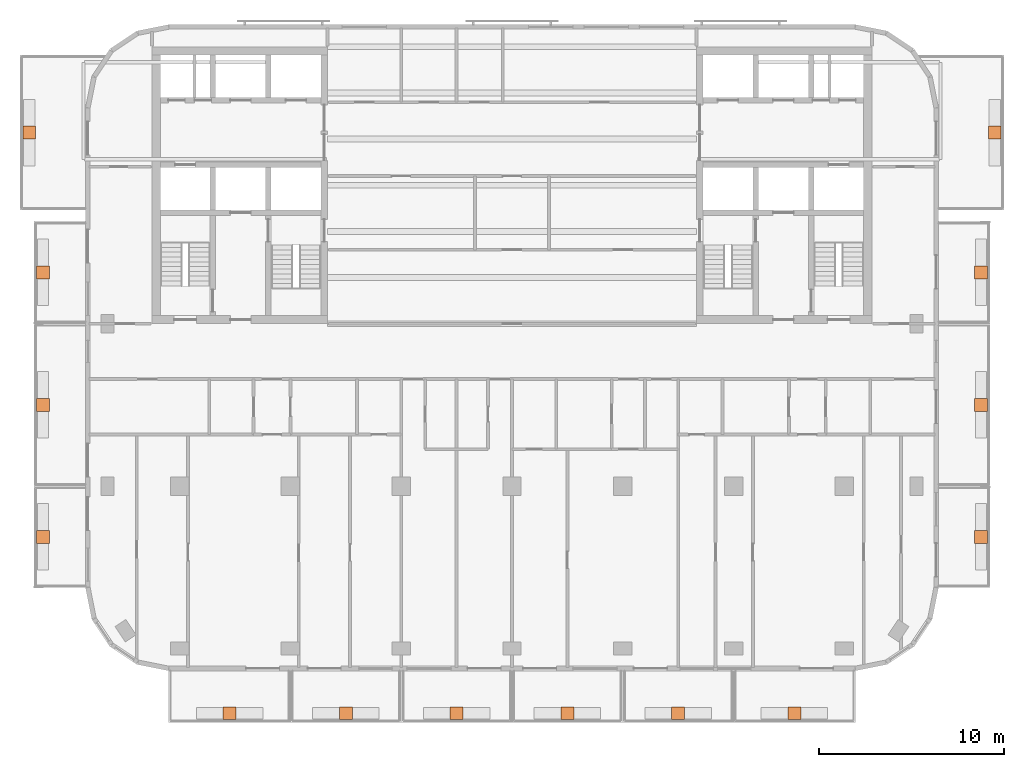
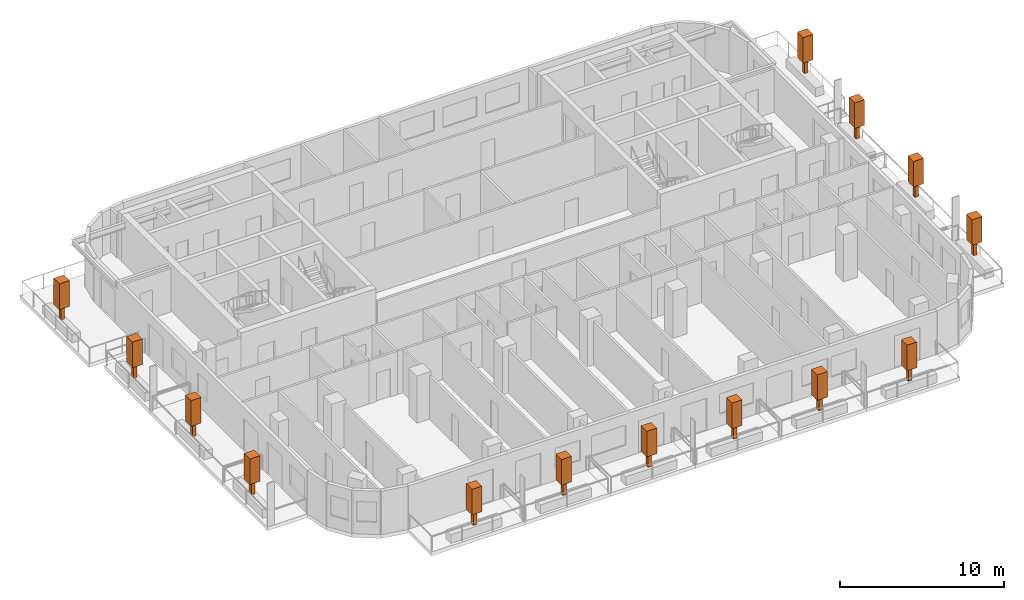
# One storey, part 11 of 11: 14 geographic elements.
"""IFC4 building model written with IfcOpenShell, lengths in metres."""

from ifc_helpers import new_model, si_unit, direction, frame, origin, origin_2d, place, context, subcontext, project, spatial, rectangle, extrude, material, element, save


model = new_model("IFC4")

# Units and contexts
model_context = context("Model", 3, precision=1e-05, world=origin(), true_north=direction((0.0, 1.0)))
body_context = subcontext(model_context, "Body", "Model", "MODEL_VIEW")
ifc_project = project(units=[si_unit("LENGTHUNIT", "METRE"), si_unit("AREAUNIT", "SQUARE_METRE"), si_unit("VOLUMEUNIT", "CUBIC_METRE"), si_unit("PLANEANGLEUNIT", "RADIAN"), si_unit("MASSUNIT", "GRAM", prefix="KILO")], contexts=[model_context])

# Site, building, storey
site_placement = place(None, origin())
site = spatial("IfcSite", under=ifc_project, at=site_placement, CompositionType="ELEMENT")
building_placement = place(site_placement, origin())
building = spatial("IfcBuilding", under=site, at=building_placement, Name="Torana Hotel and Residences", CompositionType="ELEMENT")
storey_placement = place(building_placement, frame((0.0, 0.0, 294.60009765625)))
storey = spatial("IfcBuildingStorey", under=building, at=storey_placement, Name="L78", CompositionType="ELEMENT", Elevation=294.60009765625)

# Geographic elements
ifc_material = material(Name="Foliage", Category="planting")
for number, where, z_axis, x_axis, name in (
    (1, (-15.300048828125, -36.10009765625, 0.64990234375), (0.0, 0.0, 1.0), (1.0, 0.0, 0.0), "Tree 01"),
    (2, (-9.0, -36.10009765625, 0.64990234375), (0.0, 0.0, 1.0), (1.0, 0.0, 0.0), "Tree 02"),
    (3, (-3.0, -36.10009765625, 0.64990234375), (0.0, 0.0, 1.0), (1.0, 0.0, 0.0), "Tree 03"),
    (4, (3.0, -36.10009765625, 0.64990234375), (0.0, 0.0, 1.0), (1.0, 0.0, 0.0), "Tree 04"),
    (5, (9.0, -36.10009765625, 0.64990234375), (0.0, 0.0, 1.0), (1.0, 0.0, 0.0), "Tree 05"),
    (6, (15.300048828125, -36.10009765625, 0.64990234375), (0.0, 0.0, 1.0), (1.0, 0.0, 0.0), "Tree 06"),
    (7, (-25.39990234375, -26.550048828125, 0.64990234375), (0.0, 0.0, 1.0), (1.0, 0.0, 0.0), "Tree 07"),
    (8, (-25.39990234375, -19.39990234375, 0.64990234375), (0.0, 0.0, 1.0), (1.0, 0.0, 0.0), "Tree 08"),
    (9, (-25.39990234375, -12.22509765625, 0.64990234375), (0.0, 0.0, 1.0), (1.0, 0.0, 0.0), "Tree 09"),
    (10, (-26.14990234375, -4.64990234375, 0.64990234375), (0.0, 0.0, 1.0), (1.0, 0.0, 0.0), "Tree 10"),
    (11, (25.39990234375, -26.550048828125, 0.64990234375), (0.0, 0.0, 1.0), (1.0, 0.0, 0.0), "Tree 11"),
    (12, (25.39990234375, -19.39990234375, 0.64990234375), (0.0, 0.0, 1.0), (1.0, 0.0, 0.0), "Tree 12"),
    (13, (25.39990234375, -12.22509765625, 0.64990234375), (0.0, 0.0, 1.0), (1.0, 0.0, 0.0), "Tree 13"),
    (14, (26.14990234375, -4.64990234375, 0.64990234375), (0.0, 0.0, 1.0), (1.0, 0.0, 0.0), "Tree 14"),
):
    element("IfcGeographicElement", number, at=place(storey_placement, frame(where, z_axis=z_axis, x_axis=x_axis)), inside=storey, material=ifc_material, Name=name, ObjectType="TREE", PredefinedType="USERDEFINED", context=body_context, shape_type="SweptSolid", body=[
        extrude(rectangle(XDim=0.25, YDim=0.25, at=origin_2d()), origin(), (0.0, 0.0, 1.0), 1.0),
        extrude(rectangle(XDim=0.699951171875, YDim=0.699951171875, at=origin_2d()), frame((0.0, 0.0, 1.0)), (0.0, 0.0, 1.0), 1.89990234375),
    ])

save(model, "model.ifc")
